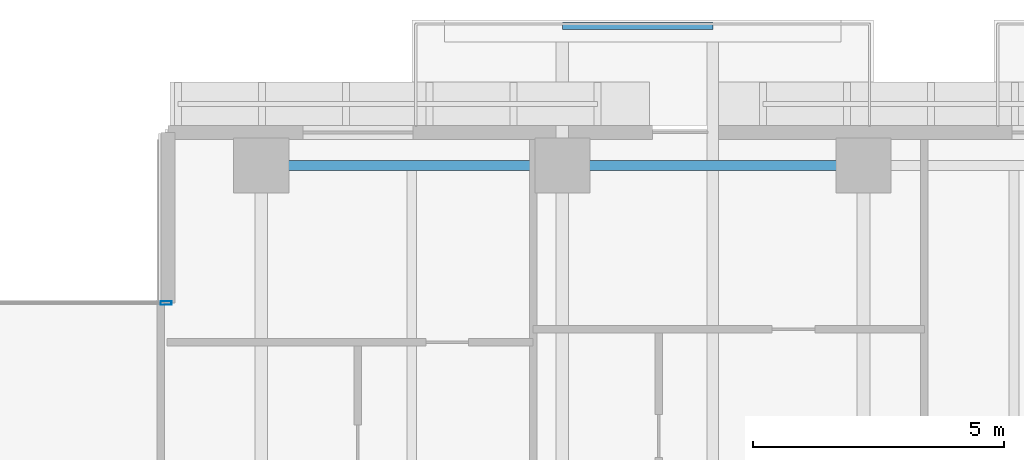
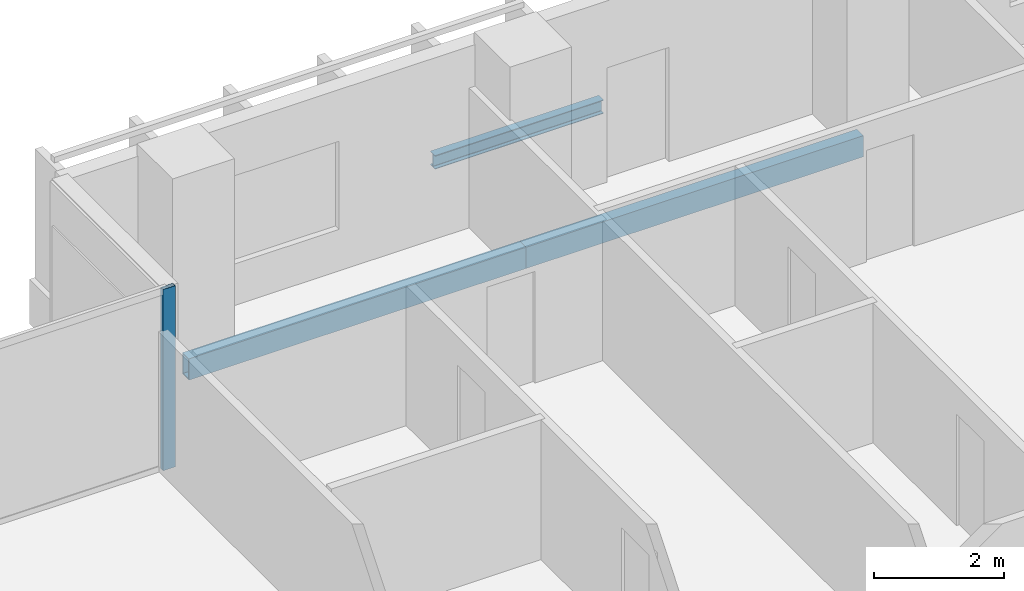
# One storey, part 8 of 26: 3 beams, 1 member, 1 element without a shape of its own.
"""IFC4 building model written with IfcOpenShell, lengths in metres."""

from ifc_helpers import new_model, si_unit, direction, frame, origin, origin_2d, place, context, subcontext, project, spatial, hollow_rectangle, i_section, extrude, material, layer, layer_set, material_profile, profile_set, type_object, element, aggregate, save


model = new_model("IFC4")

# Units and contexts
model_context = context("Model", 3, precision=1e-05, world=origin(), true_north=direction((0.0, 1.0)))
body_context = subcontext(model_context, "Body", "Model", "MODEL_VIEW")
ifc_project = project(units=[si_unit("LENGTHUNIT", "METRE"), si_unit("AREAUNIT", "SQUARE_METRE"), si_unit("VOLUMEUNIT", "CUBIC_METRE"), si_unit("PLANEANGLEUNIT", "RADIAN"), si_unit("MASSUNIT", "GRAM", prefix="KILO")], contexts=[model_context])

# Site, building, storey
site_placement = place(None, origin())
site = spatial("IfcSite", under=ifc_project, at=site_placement, CompositionType="ELEMENT")
building_placement = place(site_placement, origin())
building = spatial("IfcBuilding", under=site, at=building_placement, Name="Tanjung Sevakor Pilgrim Tower", CompositionType="ELEMENT")
storey_placement = place(building_placement, frame((0.0, 0.0, 66.0)))
storey = spatial("IfcBuildingStorey", under=building, at=storey_placement, Name="L18", CompositionType="ELEMENT", Elevation=66.0)

# Beams
ifc_material_1 = material(Name="Steel S355J2", Category="steel")
ifc_material_profile_1 = material_profile(ifc_material_1, i_section(OverallWidth=0.146484375, OverallDepth=0.256103515625, WebThickness=0.00634765625, FlangeThickness=0.010986328125, FilletRadius=0.007568359375, at=origin_2d()))
ifc_profile_set_1 = profile_set([ifc_material_profile_1], Name="Steel S355J2")
beam_type_1 = type_object("IfcBeamType", Name="BM-B-J6-UB_254x146x37", PredefinedType="JOIST", material=ifc_profile_set_1)
beam_placement = place(storey_placement, frame((60.0, 61.580078125, -0.327880859375), z_axis=(1.0, 0.0, 0.0), x_axis=(0.0, 1.0, 0.0)))
element("IfcBeam", 1, at=beam_placement, inside=storey, type_object=beam_type_1, Name="L18 Balcony Rim Tie MAIN-N2", PredefinedType="JOIST", context=body_context, shape_type="SweptSolid", body=[
    extrude(i_section(OverallWidth=0.146484375, OverallDepth=0.256103515625, WebThickness=0.00634765625, FlangeThickness=0.010986328125, FilletRadius=0.007568359375, at=origin_2d()), origin(), (0.0, 0.0, 1.0), 3.0),
])
ifc_material_2 = material(Name="Steel S355J2", Category="steel")
ifc_material_profile_2 = material_profile(ifc_material_2, hollow_rectangle(XDim=0.199951171875, YDim=0.39990234375, WallThickness=0.01611328125, at=origin_2d()))
ifc_profile_set_2 = profile_set([ifc_material_profile_2], Name="Steel S355J2")
beam_type_2 = type_object("IfcBeamType", Name="BM-B-SP2-RHS_400x200x16", PredefinedType="SPANDREL", material=ifc_profile_set_2)
for number, where, z_axis, x_axis, name in (
    (2, (54.0, 58.800048828125, -0.419921875), (1.0, 0.0, 0.0), (0.0, 1.0, 0.0), "L18 Spandrel MAIN N-08"),
    (3, (60.0, 58.800048828125, -0.419921875), (1.0, 0.0, 0.0), (0.0, 1.0, 0.0), "L18 Spandrel MAIN N-10"),
):
    element("IfcBeam", number, at=place(storey_placement, frame(where, z_axis=z_axis, x_axis=x_axis)), inside=storey, type_object=beam_type_2, Name=name, PredefinedType="SPANDREL", context=body_context, shape_type="SweptSolid", body=[
        extrude(hollow_rectangle(XDim=0.199951171875, YDim=0.39990234375, WallThickness=0.01611328125, at=origin_2d()), origin(), (0.0, 0.0, 1.0), 6.0),
    ])

# Curtain wall, member
ifc_material_3 = material(Name="Aluminium 6063-T6 and Low-E Glass", Category="aluminium")
ifc_layer = layer(ifc_material_3, 0.179931640625)
ifc_layer_set = layer_set([ifc_layer], Name="CW-SYS-CLEFT")
curtain_wall_type = type_object("IfcCurtainWallType", Name="CW-SYS-CLEFT", PredefinedType="NOTDEFINED", material=ifc_layer_set)
curtain_wall_placement = place(storey_placement, origin())
curtain_wall = element("IfcCurtainWall", 4, at=curtain_wall_placement, inside=storey, type_object=curtain_wall_type, Name="L18 Curtain Wall CW-CLF-L18-10", PredefinedType="NOTDEFINED")
ifc_material_4 = material(Name="Aluminium 6063-T6", Category="aluminium")
ifc_material_profile_3 = material_profile(ifc_material_4, hollow_rectangle(XDim=0.074951171875, YDim=0.219970703125, WallThickness=0.0048828125, at=origin_2d()))
ifc_profile_set_3 = profile_set([ifc_material_profile_3], Name="Aluminium 6063-T6")
member_type = type_object("IfcMemberType", Name="TYPE-CWM-2", PredefinedType="MULLION", material=ifc_profile_set_3)
member_placement = place(storey_placement, frame((52.1025390625, 56.06005859375, 0.0), z_axis=(0.0, 0.0, 1.0), x_axis=(0.0, -1.0, 0.0)))
member = element("IfcMember", 5, at=member_placement, type_object=member_type, Name="CW-CLF mullion 1", PredefinedType="MULLION", context=body_context, shape_type="SweptSolid", body=[
    extrude(hollow_rectangle(XDim=0.074951171875, YDim=0.219970703125, WallThickness=0.0048828125, at=origin_2d()), origin(), (0.0, 0.0, 1.0), 3.409912109375),
])
aggregate(curtain_wall, [member])

save(model, "model.ifc")
